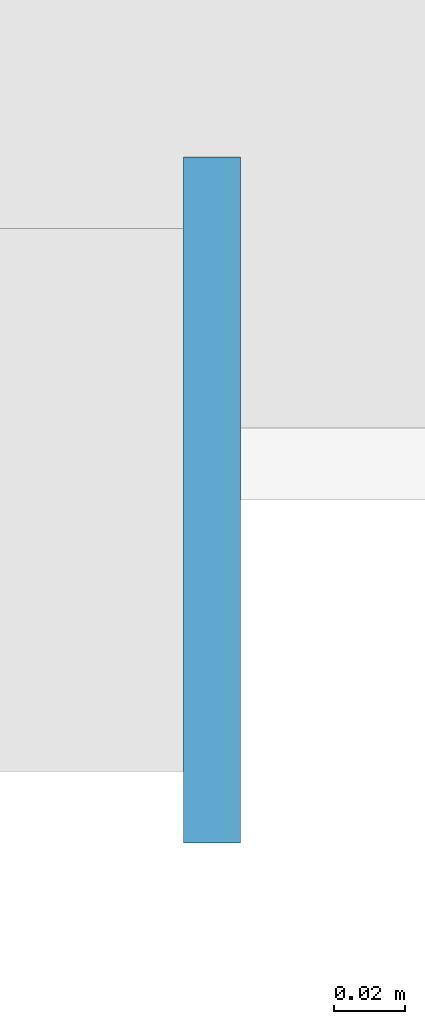
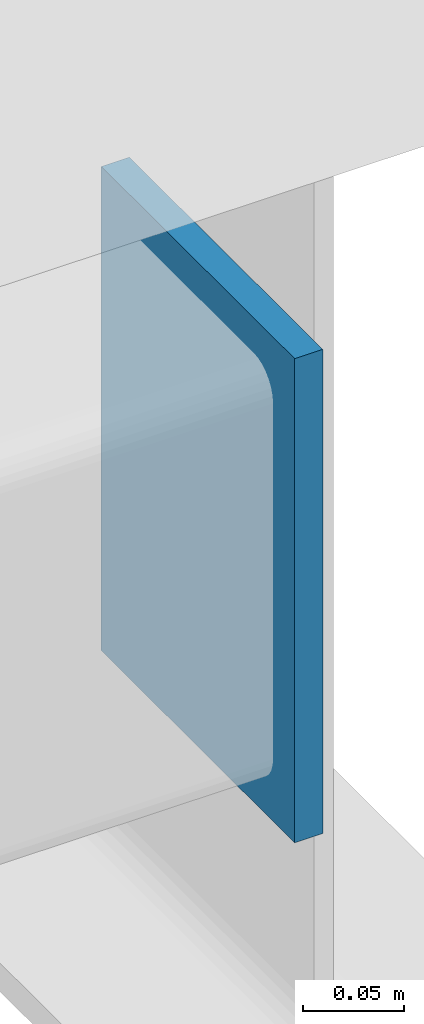
# One storey, part 48 of 72: 1 plate.
"""IFC4 building model written with IfcOpenShell, lengths in metres."""

import ifcopenshell
import ifcopenshell.guid

model = None  # the IFC model being written
_history = None  # IfcOwnerHistory: only IFC2X3 demands one
_inside = {}  # id of a spatial element -> (the spatial element, [elements in it])
_under = {}  # id of a project, library or spatial element -> (it, [spatial elements below it])
_declared = {}  # id of a project -> (the project, [libraries it declares])
_typed = {}  # id of a type object -> (the type object, [elements of that type])
_made_of = {}  # id of a material, layer set ... -> (it, [elements and type objects made of it])


def new_model(schema):
    """Start an empty IFC model of exactly this schema.

    Asked for "IFC4X3", IfcOpenShell would pick the latest addendum, in which some entities
    have other attributes; the version numbers below select the first issue.
    IFC2X3 requires an IfcOwnerHistory on every rooted entity: one is made here for all.
    """
    global model, _history
    if schema == "IFC4X3":
        model = ifcopenshell.file(schema_version=(4, 3, 0, 0))
    else:
        model = ifcopenshell.file(schema=schema)
    _inside.clear()
    _under.clear()
    _declared.clear()
    _typed.clear()
    _made_of.clear()
    _history = None
    if model.schema == "IFC2X3":
        org = make("IfcOrganization", Name="unknown")
        user = make(
            "IfcPersonAndOrganization",
            ThePerson=make("IfcPerson", FamilyName="unknown"),
            TheOrganization=org,
        )
        app = make(
            "IfcApplication",
            ApplicationDeveloper=org,
            Version="unknown",
            ApplicationFullName="unknown",
            ApplicationIdentifier="unknown",
        )
        _history = make(
            "IfcOwnerHistory",
            OwningUser=user,
            OwningApplication=app,
            ChangeAction="ADDED",
            CreationDate=0,
        )
    return model


def make(cls, **values):
    """One entity of the class cls with the attributes given. An attribute that is None is left unset."""
    return model.create_entity(
        cls, **{name: value for name, value in values.items() if value is not None}
    )


def rooted(cls, **values):
    """An entity with a GlobalId (a new one), such as an element, a storey or a relation."""
    return make(cls, GlobalId=ifcopenshell.guid.new(), OwnerHistory=_history, **values)


def si_unit(unit_type, name, prefix=None):
    """IfcSIUnit, for example si_unit("LENGTHUNIT", "METRE", prefix="MILLI")."""
    return make("IfcSIUnit", UnitType=unit_type, Prefix=prefix, Name=name)


def assignment(units):
    """IfcUnitAssignment: the units of a project."""
    return None if units is None else make("IfcUnitAssignment", Units=units)


def point(xyz):
    """IfcCartesianPoint."""
    return None if xyz is None else make("IfcCartesianPoint", Coordinates=xyz)


def direction(xyz):
    """IfcDirection."""
    return None if xyz is None else make("IfcDirection", DirectionRatios=xyz)


def frame(location, z_axis=None, x_axis=None):
    """IfcAxis2Placement3D, a coordinate frame: its origin and axes. An axis left out is left unset."""
    return make(
        "IfcAxis2Placement3D",
        Location=point(location),
        Axis=direction(z_axis),
        RefDirection=direction(x_axis),
    )


def frame_2d(location, x_axis=None):
    """IfcAxis2Placement2D, a coordinate frame in the plane: its origin and x axis."""
    return make(
        "IfcAxis2Placement2D", Location=point(location), RefDirection=direction(x_axis)
    )


def origin():
    """The frame at (0, 0, 0) with its axes left unset."""
    return frame((0.0, 0.0, 0.0))


def origin_2d():
    """The frame at (0, 0) in the plane with its x axis left unset."""
    return frame_2d((0.0, 0.0))


def place(relative_to, where):
    """IfcLocalPlacement: puts the frame where relative to a parent placement (None: the world)."""
    return make(
        "IfcLocalPlacement", PlacementRelTo=relative_to, RelativePlacement=where
    )


def context(
    kind, dimensions, precision=None, world=None, true_north=None, identifier=None
):
    """IfcGeometricRepresentationContext, for example the 3D "Model" context."""
    return make(
        "IfcGeometricRepresentationContext",
        ContextIdentifier=identifier,
        ContextType=kind,
        CoordinateSpaceDimension=dimensions,
        Precision=precision,
        WorldCoordinateSystem=world,
        TrueNorth=true_north,
    )


def subcontext(parent, identifier, kind, view, scale=None):
    """IfcGeometricRepresentationSubContext, for example "Body" below "Model"."""
    return make(
        "IfcGeometricRepresentationSubContext",
        ContextIdentifier=identifier,
        ContextType=kind,
        ParentContext=parent,
        TargetScale=scale,
        TargetView=view,
    )


def project(units=None, contexts=None):
    """IfcProject with its units and contexts."""
    return rooted(
        "IfcProject",
        Name="project",
        RepresentationContexts=contexts,
        UnitsInContext=assignment(units),
    )


def spatial(cls, under=None, at=None, **own):
    """A site, building, storey or space (cls), placed at a placement, below another one or the project."""
    s = rooted(cls, ObjectPlacement=at, **own)
    if under is not None:
        _under.setdefault(under.id(), (under, []))[1].append(s)
    return s


def profile(cls, at=None, kind="AREA", **sizes):
    """A parametric profile (cls). Its sizes go by their IFC names, for example OverallWidth=200.0."""
    return make(cls, ProfileType=kind, Position=at, **sizes)


def rectangle(**sizes):
    """IfcRectangleProfileDef."""
    return profile("IfcRectangleProfileDef", **sizes)


def extrude(swept, where, along, depth):
    """IfcExtrudedAreaSolid: the profile swept, set in the frame where, extruded along a direction by depth."""
    return make(
        "IfcExtrudedAreaSolid",
        SweptArea=swept,
        Position=where,
        ExtrudedDirection=direction(along),
        Depth=depth,
    )


def shape(context_of_items, identifier, shape_type, items):
    """IfcShapeRepresentation: the items that make up one representation, for example the "Body"."""
    return make(
        "IfcShapeRepresentation",
        ContextOfItems=context_of_items,
        RepresentationIdentifier=identifier,
        RepresentationType=shape_type,
        Items=items,
    )


def material(Name=None, Category=None):
    """IfcMaterial."""
    return make("IfcMaterial", Name=Name, Category=Category)


def layer(
    of_material, thickness, ventilated=None, Name=None, Category=None, Priority=None
):
    """IfcMaterialLayer: one layer of a wall or slab, of a material (None: an air gap)."""
    return make(
        "IfcMaterialLayer",
        Material=of_material,
        LayerThickness=thickness,
        IsVentilated=ventilated,
        Name=Name,
        Category=Category,
        Priority=Priority,
    )


def layer_set(layers, Name=None):
    """IfcMaterialLayerSet."""
    return make("IfcMaterialLayerSet", MaterialLayers=layers, LayerSetName=Name)


def made_of(thing, what):
    """Note that an element or type object is made of a material, layer set ...; save() writes the relation."""
    if what is not None:
        _made_of.setdefault(what.id(), (what, []))[1].append(thing)
    return thing


def type_object(cls, material=None, **own):
    """A type object (cls), such as IfcWallType, which elements share."""
    return made_of(rooted(cls, **own), material)


def element(
    cls,
    number,
    at=None,
    inside=None,
    cuts=None,
    type_object=None,
    material=None,
    context=None,
    identifier="Body",
    shape_type=None,
    held_by="IfcProductDefinitionShape",
    body=None,
    shapes=None,
    **own,
):
    """One element of the class cls, such as IfcWall. Its Tag is "e" and its number.

    at: its placement. inside: the storey or other place that contains it. cuts: it is an
    opening in that element (IfcRelVoidsElement). A single representation is given by context,
    identifier, shape_type and body (its items); several are given by shapes. held_by: the class
    of the entity that holds the representations. save() writes the other relations.
    """
    e = rooted(cls, Tag="e%d" % number, ObjectPlacement=at, **own)
    if body is not None:
        shapes = [shape(context, identifier, shape_type, body)]
    if shapes is not None:
        e.Representation = make(held_by, Representations=shapes)
    if inside is not None:
        _inside.setdefault(inside.id(), (inside, []))[1].append(e)
    if cuts is not None:
        rooted(
            "IfcRelVoidsElement", RelatingBuildingElement=cuts, RelatedOpeningElement=e
        )
    if type_object is not None:
        _typed.setdefault(type_object.id(), (type_object, []))[1].append(e)
    return made_of(e, material)


def aggregate(whole, parts):
    """IfcRelAggregates: a whole, such as a stair, and the parts it consists of."""
    return rooted("IfcRelAggregates", RelatingObject=whole, RelatedObjects=parts)


def save(model, path):
    """Write the relations noted so far, then the file.

    IfcRelAggregates (storeys below a building ...), IfcRelContainedInSpatialStructure (elements
    in a storey), IfcRelDefinesByType, IfcRelAssociatesMaterial and IfcRelDeclares: one each for
    every whole, place, type object, material and project.
    """
    for whole, parts in _under.values():
        aggregate(whole, parts)
    for where, things in _inside.values():
        rooted(
            "IfcRelContainedInSpatialStructure",
            RelatedElements=things,
            RelatingStructure=where,
        )
    for kind, things in _typed.values():
        rooted("IfcRelDefinesByType", RelatedObjects=things, RelatingType=kind)
    for what, things in _made_of.values():
        rooted("IfcRelAssociatesMaterial", RelatedObjects=things, RelatingMaterial=what)
    for by, libraries in _declared.values():
        rooted("IfcRelDeclares", RelatingContext=by, RelatedDefinitions=libraries)
    model.write(path)


model = new_model("IFC4")

# Units and contexts
model_context = context("Model", 3, precision=1e-05, world=origin(), true_north=direction((0.0, 1.0)))
body_context = subcontext(model_context, "Body", "Model", "MODEL_VIEW")
ifc_project = project(units=[si_unit("LENGTHUNIT", "METRE"), si_unit("AREAUNIT", "SQUARE_METRE"), si_unit("VOLUMEUNIT", "CUBIC_METRE"), si_unit("PLANEANGLEUNIT", "RADIAN"), si_unit("MASSUNIT", "GRAM", prefix="KILO")], contexts=[model_context])

# Site, building, storey
site_placement = place(None, origin())
site = spatial("IfcSite", under=ifc_project, at=site_placement, CompositionType="ELEMENT")
building_placement = place(site_placement, origin())
building = spatial("IfcBuilding", under=site, at=building_placement, Name="Calvrana Isthmian Art Gallery", CompositionType="ELEMENT")
storey_placement = place(building_placement, frame((0.0, 0.0, 15.0)))
storey = spatial("IfcBuildingStorey", under=building, at=storey_placement, Name="L03", CompositionType="ELEMENT", Elevation=15.0)

# Plate
ifc_material = material(Name="Steel ASTM A572 Gr 50", Category="steel")
ifc_layer = layer(ifc_material, 0.01611328125, Name="Steel ASTM A572 Gr 50")
ifc_layer_set = layer_set([ifc_layer], Name="Steel ASTM A572 Gr 50")
plate_type = type_object("IfcPlateType", Name="PL-CAP-16", PredefinedType="SHEET", material=ifc_layer_set)
plate_placement = place(storey_placement, frame((148.647705078125, 14.39990234375, -0.51904296875), z_axis=(0.0, 0.0, 1.0), x_axis=(1.0, 0.0, 0.0)))
element("IfcPlate", 1, at=plate_placement, inside=storey, type_object=plate_type, Name="Hollow section end cap plate 472", PredefinedType="SHEET", context=body_context, shape_type="SweptSolid", body=[
    extrude(rectangle(XDim=0.01611328125, YDim=0.1923828125, at=origin_2d()), origin(), (0.0, 0.0, 1.0), 0.2939453125),
])

save(model, "model.ifc")
